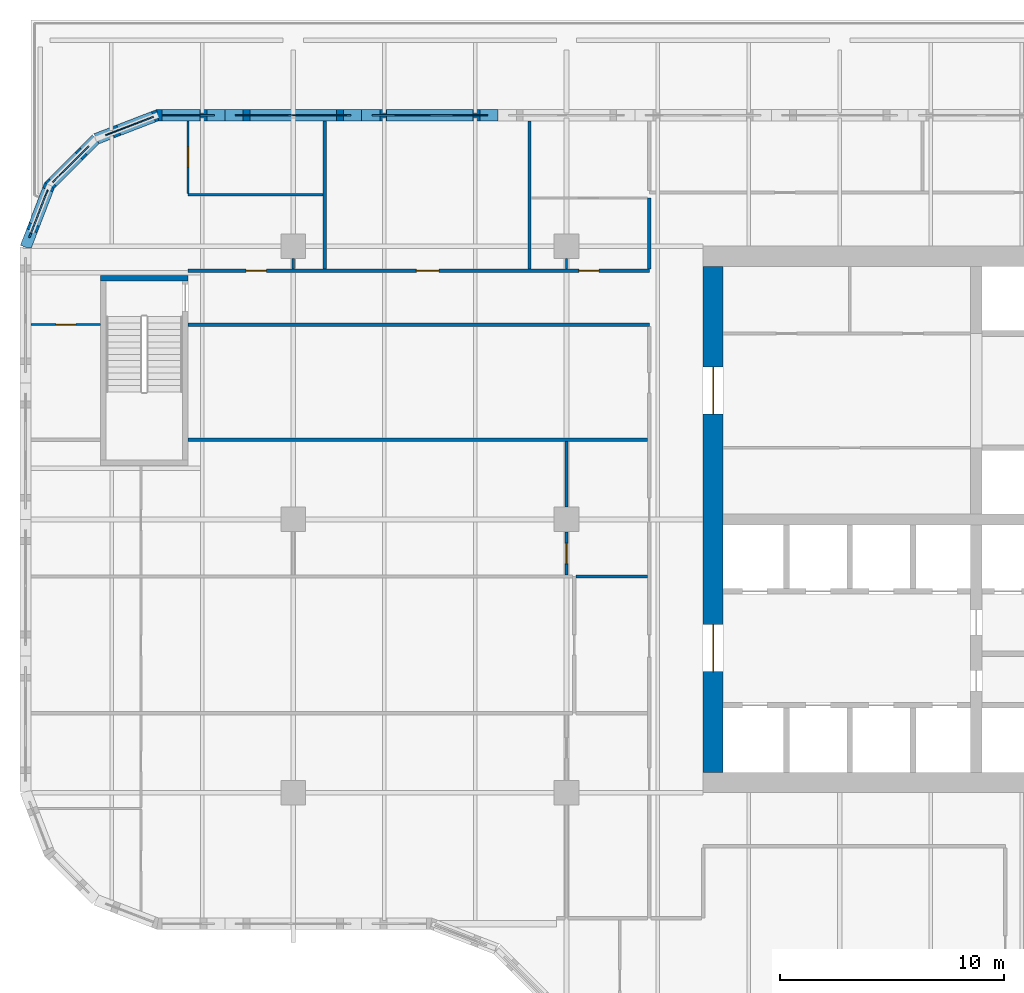
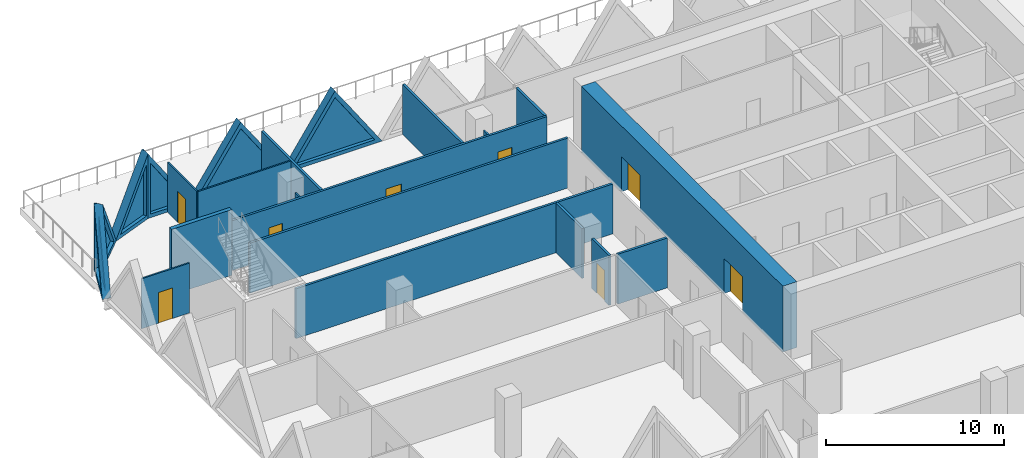
# One storey, part 10 of 21: 22 walls, 8 doors, 6 plates, 14 openings.
"""IFC4 building model written with IfcOpenShell, lengths in metres."""

from ifc_helpers import new_model, si_unit, direction, frame, frame_2d, origin, place, context, subcontext, project, spatial, polyline, rectangle, outline, extrude, faceted_brep, source, transform, mapped, material, layer, layer_set, type_object, element, fill, save


model = new_model("IFC4")

# Units and contexts
model_context = context("Model", 3, precision=1e-05, world=origin(), true_north=direction((0.0, 1.0)))
body_context = subcontext(model_context, "Body", "Model", "MODEL_VIEW")
ifc_project = project(units=[si_unit("LENGTHUNIT", "METRE"), si_unit("AREAUNIT", "SQUARE_METRE"), si_unit("VOLUMEUNIT", "CUBIC_METRE"), si_unit("PLANEANGLEUNIT", "RADIAN"), si_unit("MASSUNIT", "GRAM", prefix="KILO")], contexts=[model_context])

# Site, building, storey
site_placement = place(None, origin())
site = spatial("IfcSite", under=ifc_project, at=site_placement, CompositionType="ELEMENT")
building_placement = place(site_placement, origin())
building = spatial("IfcBuilding", under=site, at=building_placement, Name="Tessera Gate Towers", CompositionType="ELEMENT")
storey_placement = place(building_placement, frame((0.0, 0.0, 16.800048828125)))
storey = spatial("IfcBuildingStorey", under=building, at=storey_placement, Name="L03", CompositionType="ELEMENT", Elevation=16.800048828125)

# Wall
ifc_material_1 = material(Name="Concrete C40/50", Category="concrete")
ifc_layer_1 = layer(ifc_material_1, 0.25)
ifc_layer_set_1 = layer_set([ifc_layer_1], Name="CORE ENCLOSURE WALL 250")
wall_type_1 = type_object("IfcWallType", Name="CORE ENCLOSURE WALL 250", PredefinedType="SOLIDWALL", material=ifc_layer_set_1)
wall_1_placement = place(storey_placement, frame((3.60009765625, 47.375, 0.0), z_axis=(0.0, 0.0, 1.0), x_axis=(1.0, 0.0, 0.0)))
element("IfcWall", 1, at=wall_1_placement, inside=storey, type_object=wall_type_1, Name="L03 ST3 enclosure wall", PredefinedType="SOLIDWALL", context=body_context, shape_type="SweptSolid", body=[
    extrude(rectangle(XDim=3.89990234375, YDim=0.25, at=frame_2d((1.949951171875, 0.0))), origin(), (0.0, 0.0, 1.0), 4.5),
])

# Wall, openings, doors
ifc_material_2 = material(Name="Concrete C70/85", Category="concrete")
ifc_layer_2 = layer(ifc_material_2, 0.89990234375)
ifc_layer_set_2 = layer_set([ifc_layer_2], Name="CORE SHEAR WALL 900 C70/85")
wall_type_2 = type_object("IfcWallType", Name="CORE SHEAR WALL 900 C70/85", PredefinedType="SHEAR", material=ifc_layer_set_2)
wall_2_placement = place(storey_placement, frame((30.949951171875, 25.300048828125, 0.0), z_axis=(0.0, 0.0, 1.0), x_axis=(0.0, 1.0, 0.0)))
wall_2 = element("IfcWall", 2, at=wall_2_placement, inside=storey, type_object=wall_type_2, Name="Core wall W L03", PredefinedType="SHEAR", context=body_context, shape_type="SweptSolid", body=[
    extrude(rectangle(XDim=22.599853515625, YDim=0.89990234375, at=frame_2d((11.2998046875, 0.0))), origin(), (0.0, 0.0, 1.0), 4.5),
])
shared_shape_1 = source(origin(), body_context, "Body", "SweptSolid", [
    extrude(rectangle(XDim=2.10009765625, YDim=2.39990234375, at=frame_2d((1.050048828125, 1.199951171875))), frame((0.0, 0.4599609375, 0.0), z_axis=(0.0, -1.0, 0.0), x_axis=(1.0, 0.0, 0.0)), (0.0, 0.0, 1.0), 0.919921875),
])
opening_1_placement = place(wall_2_placement, frame((4.5, 0.0, 0.0)))
opening_1 = element("IfcOpeningElement", 3, at=opening_1_placement, cuts=wall_2, Name="Opening DD-T1-04-02", PredefinedType="OPENING", context=body_context, shape_type="MappedRepresentation", body=[
    mapped(shared_shape_1, transform((0.0, 0.0, 0.0), scale=1.0)),
])
opening_2_placement = place(wall_2_placement, frame((16.0, 0.0, 0.0)))
opening_2 = element("IfcOpeningElement", 4, at=opening_2_placement, cuts=wall_2, Name="Opening DD-T1-04-03", PredefinedType="OPENING", context=body_context, shape_type="MappedRepresentation", body=[
    mapped(shared_shape_1, transform((0.0, 0.0, 0.0), scale=1.0)),
])
ifc_material_3 = material(Name="Hollow steel fire door", Category="steel")
door_type_1 = type_object("IfcDoorType", Name="CORE DOOR DD 2100x2400", OperationType="NOTDEFINED", PredefinedType="DOOR", material=ifc_material_3)
shared_shape_2 = source(origin(), body_context, "Body", "SweptSolid", [
    extrude(rectangle(XDim=2.10009765625, YDim=2.39990234375, at=frame_2d((1.050048828125, 1.199951171875))), frame((0.0, 0.02490234375, 0.0), z_axis=(0.0, -1.0, 0.0), x_axis=(1.0, 0.0, 0.0)), (0.0, 0.0, 1.0), 0.050048828125),
])
door_1_placement = place(opening_1_placement, origin())
door_1 = element("IfcDoor", 5, at=door_1_placement, inside=storey, type_object=door_type_1, Name="Core entrance door", OperationType="DOUBLE_DOOR_SINGLE_SWING", OverallHeight=2.39990234375, OverallWidth=2.10009765625, PredefinedType="DOOR", context=body_context, shape_type="MappedRepresentation", body=[
    mapped(shared_shape_2, transform((0.0, 0.0, 0.0), scale=1.0)),
])
fill(opening_1, door_1)
door_2_placement = place(opening_2_placement, origin())
door_2 = element("IfcDoor", 6, at=door_2_placement, inside=storey, type_object=door_type_1, Name="Core entrance door", OperationType="DOUBLE_DOOR_SINGLE_SWING", OverallHeight=2.39990234375, OverallWidth=2.10009765625, PredefinedType="DOOR", context=body_context, shape_type="MappedRepresentation", body=[
    mapped(shared_shape_2, transform((0.0, 0.0, 0.0), scale=1.0)),
])
fill(opening_2, door_2)

# Wall
ifc_material_4 = material(Name="Gypsum board on steel studs, mineral wool", Category="steel")
ifc_layer_3 = layer(ifc_material_4, 0.14990234375)
ifc_layer_set_3 = layer_set([ifc_layer_3], Name="CORRIDOR WALL 150")
wall_type_3 = type_object("IfcWallType", Name="CORRIDOR WALL 150", PredefinedType="PARTITIONING", material=ifc_layer_set_3)
wall_3_placement = place(storey_placement, frame((7.5, 45.300048828125, 0.0), z_axis=(0.0, 0.0, 1.0), x_axis=(1.0, 0.0, 0.0)))
element("IfcWall", 7, at=wall_3_placement, inside=storey, type_object=wall_type_3, Name="T1-L03-PW-042", PredefinedType="PARTITIONING", context=body_context, shape_type="SweptSolid", body=[
    extrude(rectangle(XDim=20.60009765625, YDim=0.14990234375, at=frame_2d((10.300048828125, 0.0))), origin(), (0.0, 0.0, 1.0), 3.4150390625),
])

# Wall, openings, doors
wall_4_placement = place(storey_placement, frame((7.5, 47.699951171875, 0.0), z_axis=(0.0, 0.0, 1.0), x_axis=(1.0, 0.0, 0.0)))
wall_4 = element("IfcWall", 8, at=wall_4_placement, inside=storey, type_object=wall_type_3, Name="T1-L03-PW-043", PredefinedType="PARTITIONING", context=body_context, shape_type="SweptSolid", body=[
    extrude(rectangle(XDim=20.60009765625, YDim=0.14990234375, at=frame_2d((10.300048828125, 0.0))), origin(), (0.0, 0.0, 1.0), 3.4150390625),
])
shared_shape_3 = source(origin(), body_context, "Body", "SweptSolid", [
    extrude(rectangle(XDim=0.89990234375, YDim=2.10009765625, at=frame_2d((0.449951171875, 1.050048828125))), frame((0.0, 0.0849609375, 0.0), z_axis=(0.0, -1.0, 0.0), x_axis=(1.0, 0.0, 0.0)), (0.0, 0.0, 1.0), 0.169921875),
])
opening_3_placement = place(wall_4_placement, frame((17.450927734375, 0.0, 0.0)))
opening_3 = element("IfcOpeningElement", 9, at=opening_3_placement, cuts=wall_4, Name="Opening D890FD60-A00-02", PredefinedType="OPENING", context=body_context, shape_type="MappedRepresentation", body=[
    mapped(shared_shape_3, transform((0.0, 0.0, 0.0), scale=1.0)),
])
opening_4_placement = place(wall_4_placement, frame((2.60009765625, 0.0, 0.0)))
opening_4 = element("IfcOpeningElement", 10, at=opening_4_placement, cuts=wall_4, Name="Opening D890FD60-A00-03", PredefinedType="OPENING", context=body_context, shape_type="MappedRepresentation", body=[
    mapped(shared_shape_3, transform((0.0, 0.0, 0.0), scale=1.0)),
])
shared_shape_4 = source(origin(), body_context, "Body", "SweptSolid", [
    extrude(rectangle(XDim=1.0, YDim=2.10009765625, at=frame_2d((0.5, 1.050048828125))), frame((0.0, 0.0849609375, 0.0), z_axis=(0.0, -1.0, 0.0), x_axis=(1.0, 0.0, 0.0)), (0.0, 0.0, 1.0), 0.169921875),
])
opening_5_placement = place(wall_4_placement, frame((10.199951171875, 0.0, 0.0)))
opening_5 = element("IfcOpeningElement", 11, at=opening_5_placement, cuts=wall_4, Name="Opening D2100FD60-A00-04", PredefinedType="OPENING", context=body_context, shape_type="MappedRepresentation", body=[
    mapped(shared_shape_4, transform((0.0, 0.0, 0.0), scale=1.0)),
])
ifc_material_5 = material(Name="Timber door leaf in steel frame", Category="steel")
door_type_2 = type_object("IfcDoorType", Name="CORRIDOR DOOR 900 FD60", OperationType="NOTDEFINED", PredefinedType="DOOR", material=ifc_material_5)
shared_shape_5 = source(origin(), body_context, "Body", "SweptSolid", [
    extrude(rectangle(XDim=0.89990234375, YDim=2.10009765625, at=frame_2d((0.449951171875, 1.050048828125))), frame((0.0, 0.02490234375, 0.0), z_axis=(0.0, -1.0, 0.0), x_axis=(1.0, 0.0, 0.0)), (0.0, 0.0, 1.0), 0.050048828125),
])
door_3_placement = place(opening_3_placement, origin())
door_3 = element("IfcDoor", 12, at=door_3_placement, inside=storey, type_object=door_type_2, Name="T1-L03-PD-009", OperationType="SINGLE_SWING_RIGHT", OverallHeight=2.10009765625, OverallWidth=0.89990234375, PredefinedType="DOOR", context=body_context, shape_type="MappedRepresentation", body=[
    mapped(shared_shape_5, transform((0.0, 0.0, 0.0), scale=1.0)),
])
fill(opening_3, door_3)
door_4_placement = place(opening_4_placement, origin())
door_4 = element("IfcDoor", 13, at=door_4_placement, inside=storey, type_object=door_type_2, Name="T1-L03-PD-015", OperationType="SINGLE_SWING_LEFT", OverallHeight=2.10009765625, OverallWidth=0.89990234375, PredefinedType="DOOR", context=body_context, shape_type="MappedRepresentation", body=[
    mapped(shared_shape_5, transform((0.0, 0.0, 0.0), scale=1.0)),
])
fill(opening_4, door_4)
ifc_material_6 = material(Name="Timber door leaf in steel frame", Category="steel")
door_type_3 = type_object("IfcDoorType", Name="TENANCY ENTRANCE DOOR 1000 FD60", OperationType="NOTDEFINED", PredefinedType="DOOR", material=ifc_material_6)
shared_shape_6 = source(origin(), body_context, "Body", "SweptSolid", [
    extrude(rectangle(XDim=1.0, YDim=2.10009765625, at=frame_2d((0.5, 1.050048828125))), frame((0.0, 0.02490234375, 0.0), z_axis=(0.0, -1.0, 0.0), x_axis=(1.0, 0.0, 0.0)), (0.0, 0.0, 1.0), 0.050048828125),
])
door_5_placement = place(opening_5_placement, origin())
door_5 = element("IfcDoor", 14, at=door_5_placement, inside=storey, type_object=door_type_3, Name="T1-L03-PD-026", OperationType="SINGLE_SWING_LEFT", OverallHeight=2.10009765625, OverallWidth=1.0, PredefinedType="DOOR", context=body_context, shape_type="MappedRepresentation", body=[
    mapped(shared_shape_6, transform((0.0, 0.0, 0.0), scale=1.0)),
])
fill(opening_5, door_5)

# Wall
wall_5_placement = place(storey_placement, frame((28.10009765625, 47.77587890625, 0.0), z_axis=(0.0, 0.0, 1.0), x_axis=(0.0, 1.0, 0.0)))
element("IfcWall", 15, at=wall_5_placement, inside=storey, type_object=wall_type_3, Name="T1-L03-PW-046", PredefinedType="PARTITIONING", context=body_context, shape_type="SweptSolid", body=[
    extrude(rectangle(XDim=3.174072265625, YDim=0.14990234375, at=frame_2d((1.5869140625, 0.0))), origin(), (0.0, 0.0, 1.0), 3.4150390625),
])

# Wall, opening, door
ifc_material_7 = material(Name="Glass", Category="glass")
ifc_layer_4 = layer(ifc_material_7, 0.10009765625)
ifc_layer_set_4 = layer_set([ifc_layer_4], Name="GLAZED PARTITION 100")
wall_type_4 = type_object("IfcWallType", Name="GLAZED PARTITION 100", PredefinedType="PARTITIONING", material=ifc_layer_set_4)
wall_6_placement = place(storey_placement, frame((3.60009765625, 45.300048828125, 0.0), z_axis=(0.0, 0.0, 1.0), x_axis=(-1.0, 0.0, 0.0)))
wall_6 = element("IfcWall", 16, at=wall_6_placement, inside=storey, type_object=wall_type_4, Name="T1-L03-PW-041", PredefinedType="PARTITIONING", context=body_context, shape_type="SweptSolid", body=[
    extrude(rectangle(XDim=3.10009765625, YDim=0.10009765625, at=frame_2d((1.550048828125, 0.0))), origin(), (0.0, 0.0, 1.0), 3.4150390625),
])
shared_shape_7 = source(origin(), body_context, "Body", "SweptSolid", [
    extrude(rectangle(XDim=0.89990234375, YDim=2.10009765625, at=frame_2d((0.449951171875, 1.050048828125))), frame((0.0, 0.06005859375, 0.0), z_axis=(0.0, -1.0, 0.0), x_axis=(1.0, 0.0, 0.0)), (0.0, 0.0, 1.0), 0.1201171875),
])
opening_6_placement = place(wall_6_placement, frame((1.10009765625, 0.0, 0.0)))
opening_6 = element("IfcOpeningElement", 17, at=opening_6_placement, cuts=wall_6, Name="Opening D690-A00-01", PredefinedType="OPENING", context=body_context, shape_type="MappedRepresentation", body=[
    mapped(shared_shape_7, transform((0.0, 0.0, 0.0), scale=1.0)),
])
ifc_material_8 = material(Name="Glass in aluminium frame", Category="aluminium")
door_type_4 = type_object("IfcDoorType", Name="GLAZED DOOR 900 NOT RATED", OperationType="NOTDEFINED", PredefinedType="DOOR", material=ifc_material_8)
door_6_placement = place(opening_6_placement, origin())
door_6 = element("IfcDoor", 18, at=door_6_placement, inside=storey, type_object=door_type_4, Name="T1-L03-PD-001", OperationType="SINGLE_SWING_RIGHT", OverallHeight=2.10009765625, OverallWidth=0.89990234375, PredefinedType="DOOR", context=body_context, shape_type="MappedRepresentation", body=[
    mapped(shared_shape_5, transform((0.0, 0.0, 0.0), scale=1.0)),
])
fill(opening_6, door_6)

# Walls
ifc_material_9 = material(Name="Gypsum board on steel studs", Category="steel")
ifc_layer_5 = layer(ifc_material_9, 0.10009765625)
ifc_layer_set_5 = layer_set([ifc_layer_5], Name="PARTITION 100")
wall_type_5 = type_object("IfcWallType", Name="PARTITION 100", PredefinedType="PARTITIONING", material=ifc_layer_set_5)
for number, where, z_axis, x_axis, name in (
    (19, (12.199951171875, 48.25, 0.0), (0.0, 0.0, 1.0), (0.0, -1.0, 0.0), "T1-L03-PW-047"),
    (20, (24.39990234375, 48.25, 0.0), (0.0, 0.0, 1.0), (0.0, -1.0, 0.0), "T1-L03-PW-048"),
):
    element("IfcWall", number, at=place(storey_placement, frame(where, z_axis=z_axis, x_axis=x_axis)), inside=storey, type_object=wall_type_5, Name=name, PredefinedType="PARTITIONING", context=body_context, shape_type="SweptSolid", body=[
        extrude(rectangle(XDim=0.47509765625, YDim=0.10009765625, at=frame_2d((0.237548828125, 0.0))), origin(), (0.0, 0.0, 1.0), 3.4150390625),
    ])
wall_7_placement = place(storey_placement, frame((7.5, 51.10009765625, 0.0), z_axis=(0.0, 0.0, 1.0), x_axis=(1.0, 0.0, 0.0)))
element("IfcWall", 21, at=wall_7_placement, inside=storey, type_object=wall_type_5, Name="T1-L03-PW-050", PredefinedType="PARTITIONING", context=body_context, shape_type="SweptSolid", body=[
    extrude(rectangle(XDim=6.02392578125, YDim=0.10009765625, at=frame_2d((3.011962890625, 0.0))), origin(), (0.0, 0.0, 1.0), 3.4150390625),
])

# Wall, opening, door
wall_8_placement = place(storey_placement, frame((7.5, 54.39990234375, 0.0), z_axis=(0.0, 0.0, 1.0), x_axis=(0.0, -1.0, 0.0)))
wall_8 = element("IfcWall", 22, at=wall_8_placement, inside=storey, type_object=wall_type_5, Name="T1-L03-PW-051", PredefinedType="PARTITIONING", context=body_context, shape_type="SweptSolid", body=[
    extrude(rectangle(XDim=3.2490234375, YDim=0.10009765625, at=frame_2d((1.62451171875, 0.0))), origin(), (0.0, 0.0, 1.0), 3.4150390625),
])
opening_7_placement = place(wall_8_placement, frame((1.14892578125, 0.0, 0.0)))
opening_7 = element("IfcOpeningElement", 23, at=opening_7_placement, cuts=wall_8, Name="Opening D190-A00-13", PredefinedType="OPENING", context=body_context, shape_type="MappedRepresentation", body=[
    mapped(shared_shape_7, transform((0.0, 0.0, 0.0), scale=1.0)),
])
ifc_material_10 = material(Name="Timber door leaf in steel frame", Category="steel")
door_type_5 = type_object("IfcDoorType", Name="INTERNAL DOOR 900 NOT RATED", OperationType="NOTDEFINED", PredefinedType="DOOR", material=ifc_material_10)
door_7_placement = place(opening_7_placement, origin())
door_7 = element("IfcDoor", 24, at=door_7_placement, inside=storey, type_object=door_type_5, Name="T1-L03-PD-027", OperationType="SINGLE_SWING_RIGHT", OverallHeight=2.10009765625, OverallWidth=0.89990234375, PredefinedType="DOOR", context=body_context, shape_type="MappedRepresentation", body=[
    mapped(shared_shape_5, transform((0.0, 0.0, 0.0), scale=1.0)),
])
fill(opening_7, door_7)

# Wall
ifc_material_11 = material(Name="Gypsum board on steel studs, mineral wool", Category="steel")
ifc_layer_6 = layer(ifc_material_11, 0.14990234375)
ifc_layer_set_6 = layer_set([ifc_layer_6], Name="TENANCY WALL 150")
wall_type_6 = type_object("IfcWallType", Name="TENANCY WALL 150", PredefinedType="PARTITIONING", material=ifc_layer_set_6)
wall_9_placement = place(storey_placement, frame((24.825927734375, 34.050048828125, 0.0), z_axis=(0.0, 0.0, 1.0), x_axis=(1.0, 0.0, 0.0)))
element("IfcWall", 25, at=wall_9_placement, inside=storey, type_object=wall_type_6, Name="T1-L03-PW-034", PredefinedType="PARTITIONING", context=body_context, shape_type="SweptSolid", body=[
    extrude(rectangle(XDim=3.197998046875, YDim=0.14990234375, at=frame_2d((1.59912109375, 0.0))), origin(), (0.0, 0.0, 1.0), 3.4150390625),
])

# Wall, opening, door
wall_10_placement = place(storey_placement, frame((24.39990234375, 34.1259765625, 0.0), z_axis=(0.0, 0.0, 1.0), x_axis=(0.0, 1.0, 0.0)))
wall_10 = element("IfcWall", 26, at=wall_10_placement, inside=storey, type_object=wall_type_6, Name="T1-L03-PW-036", PredefinedType="PARTITIONING", context=body_context, shape_type="SweptSolid", body=[
    extrude(rectangle(XDim=1.923095703125, YDim=0.14990234375, at=frame_2d((0.96142578125, 0.0))), origin(), (0.0, 0.0, 1.0), 3.4150390625),
])
opening_8_placement = place(wall_10_placement, frame((0.5, 0.0, 0.0)))
opening_8 = element("IfcOpeningElement", 27, at=opening_8_placement, cuts=wall_10, Name="Opening D190-A00-04", PredefinedType="OPENING", context=body_context, shape_type="MappedRepresentation", body=[
    mapped(shared_shape_3, transform((0.0, 0.0, 0.0), scale=1.0)),
])
door_8_placement = place(opening_8_placement, origin())
door_8 = element("IfcDoor", 28, at=door_8_placement, inside=storey, type_object=door_type_5, Name="T1-L03-PD-005", OperationType="SINGLE_SWING_LEFT", OverallHeight=2.10009765625, OverallWidth=0.89990234375, PredefinedType="DOOR", context=body_context, shape_type="MappedRepresentation", body=[
    mapped(shared_shape_5, transform((0.0, 0.0, 0.0), scale=1.0)),
])
fill(opening_8, door_8)

# Walls
wall_11_placement = place(storey_placement, frame((24.39990234375, 37.15087890625, 0.0), z_axis=(0.0, 0.0, 1.0), x_axis=(0.0, 1.0, 0.0)))
element("IfcWall", 29, at=wall_11_placement, inside=storey, type_object=wall_type_6, Name="T1-L03-PW-038", PredefinedType="PARTITIONING", context=body_context, shape_type="SweptSolid", body=[
    extrude(rectangle(XDim=2.923095703125, YDim=0.14990234375, at=frame_2d((1.46142578125, 0.0))), origin(), (0.0, 0.0, 1.0), 3.4150390625),
])
wall_12_placement = place(storey_placement, frame((7.5, 40.14990234375, 0.0), z_axis=(0.0, 0.0, 1.0), x_axis=(1.0, 0.0, 0.0)))
element("IfcWall", 30, at=wall_12_placement, inside=storey, type_object=wall_type_6, Name="T1-L03-PW-040", PredefinedType="PARTITIONING", context=body_context, shape_type="SweptSolid", body=[
    extrude(rectangle(XDim=20.52392578125, YDim=0.14990234375, at=frame_2d((10.261962890625, 0.0))), origin(), (0.0, 0.0, 1.0), 3.4150390625),
])
for number, where, z_axis, x_axis, name in (
    (31, (13.60009765625, 47.77587890625, 0.0), (0.0, 0.0, 1.0), (0.0, 1.0, 0.0), "T1-L03-PW-044"),
    (32, (22.75, 47.77587890625, 0.0), (0.0, 0.0, 1.0), (0.0, 1.0, 0.0), "T1-L03-PW-045"),
):
    element("IfcWall", number, at=place(storey_placement, frame(where, z_axis=z_axis, x_axis=x_axis)), inside=storey, type_object=wall_type_6, Name=name, PredefinedType="PARTITIONING", context=body_context, shape_type="SweptSolid", body=[
        extrude(rectangle(XDim=6.6240234375, YDim=0.14990234375, at=frame_2d((3.31201171875, 0.0))), origin(), (0.0, 0.0, 1.0), 3.4150390625),
    ])

# Wall, opening, plate
ifc_material_12 = material(Name="Precast concrete C60/75 white", Category="concrete")
ifc_layer_7 = layer(ifc_material_12, 0.5)
ifc_layer_set_7 = layer_set([ifc_layer_7], Name="TS2 half tessera")
wall_type_7 = type_object("IfcWallType", Name="TS2 half tessera", PredefinedType="SOLIDWALL", material=ifc_layer_set_7)
shared_shape_8 = source(origin(), body_context, "Body", "SweptSolid", [
    extrude(outline(polyline([(6.10009765625, 0.0), (3.050048828125, 4.5), (0.0, 0.0), (6.10009765625, 0.0)])), frame((0.0, 0.25, 0.0), z_axis=(0.0, -1.0, 0.0), x_axis=(1.0, 0.0, 0.0)), (0.0, 0.0, 1.0), 0.5),
])
wall_13_placement = place(storey_placement, frame((21.35009765625, 54.64990234375, 0.0), z_axis=(0.0, 0.0, 1.0), x_axis=(-1.0, 0.0, 0.0)))
wall_13 = element("IfcWall", 33, at=wall_13_placement, inside=storey, type_object=wall_type_7, Name="Precast half tessera T1 TS2-0015", PredefinedType="SOLIDWALL", context=body_context, shape_type="MappedRepresentation", body=[
    mapped(shared_shape_8, transform((0.0, 0.0, 0.0), scale=1.0)),
])
shared_shape_9 = source(origin(), body_context, "Body", "SweptSolid", [
    extrude(outline(polyline([(5.628662109375, 0.25), (3.050048828125, 4.054443359375), (0.471435546875, 0.25), (5.628662109375, 0.25)])), frame((0.0, 0.260009765625, 0.0), z_axis=(0.0, -1.0, 0.0), x_axis=(1.0, 0.0, 0.0)), (0.0, 0.0, 1.0), 0.52001953125),
])
opening_9_placement = place(wall_13_placement, origin())
opening_9 = element("IfcOpeningElement", 34, at=opening_9_placement, cuts=wall_13, Name="Opening T1-PL1-0025", PredefinedType="OPENING", context=body_context, shape_type="MappedRepresentation", body=[
    mapped(shared_shape_9, transform((0.0, 0.0, 0.0), scale=1.0)),
])
ifc_material_13 = material(Name="Low-e laminated glass", Category="glass")
ifc_layer_8 = layer(ifc_material_13, 0.06005859375)
ifc_layer_set_8 = layer_set([ifc_layer_8], Name="PL1 triangular pane")
plate_type = type_object("IfcPlateType", Name="PL1 triangular pane", PredefinedType="SHEET", material=ifc_layer_set_8)
shared_shape_10 = source(origin(), body_context, "Body", "SweptSolid", [
    extrude(outline(polyline([(5.628662109375, 0.25), (3.050048828125, 4.054443359375), (0.471435546875, 0.25), (5.628662109375, 0.25)])), frame((0.0, 0.030029296875, 0.0), z_axis=(0.0, -1.0, 0.0), x_axis=(1.0, 0.0, 0.0)), (0.0, 0.0, 1.0), 0.06005859375),
])
plate_1_placement = place(opening_9_placement, origin())
plate_1 = element("IfcPlate", 35, at=plate_1_placement, inside=storey, type_object=plate_type, Name="Glass pane T1 PL1-0025", PredefinedType="SHEET", context=body_context, shape_type="MappedRepresentation", body=[
    mapped(shared_shape_10, transform((0.0, 0.0, 0.0), scale=1.0)),
])
fill(opening_9, plate_1)

wall_14_placement = place(storey_placement, frame((15.25, 54.64990234375, 0.0), z_axis=(0.0, 0.0, 1.0), x_axis=(-1.0, 0.0, 0.0)))
wall_14 = element("IfcWall", 36, at=wall_14_placement, inside=storey, type_object=wall_type_7, Name="Precast half tessera T1 TS2-0016", PredefinedType="SOLIDWALL", context=body_context, shape_type="MappedRepresentation", body=[
    mapped(shared_shape_8, transform((0.0, 0.0, 0.0), scale=1.0)),
])
opening_10_placement = place(wall_14_placement, origin())
opening_10 = element("IfcOpeningElement", 37, at=opening_10_placement, cuts=wall_14, Name="Opening T1-PL1-0026", PredefinedType="OPENING", context=body_context, shape_type="MappedRepresentation", body=[
    mapped(shared_shape_9, transform((0.0, 0.0, 0.0), scale=1.0)),
])
plate_2_placement = place(opening_10_placement, origin())
plate_2 = element("IfcPlate", 38, at=plate_2_placement, inside=storey, type_object=plate_type, Name="Glass pane T1 PL1-0026", PredefinedType="SHEET", context=body_context, shape_type="MappedRepresentation", body=[
    mapped(shared_shape_10, transform((0.0, 0.0, 0.0), scale=1.0)),
])
fill(opening_10, plate_2)

ifc_material_14 = material(Name="Precast concrete C60/75 white", Category="concrete")
ifc_layer_9 = layer(ifc_material_14, 0.5)
ifc_layer_set_9 = layer_set([ifc_layer_9], Name="TS3 corner tessera")
wall_type_8 = type_object("IfcWallType", Name="TS3 corner tessera", PredefinedType="SOLIDWALL", material=ifc_layer_set_9)
shared_shape_11 = source(origin(), body_context, "Body", "Brep", [
    faceted_brep([(3.050048828125, -0.25, 4.428955078125), (3.00341796875, -0.25, 4.5), (0.0, -0.25, 0.0), (3.050048828125, -0.25, 0.0), (0.0, 0.25, 0.0), (2.956787109375, 0.25, 4.430419921875), (2.956787109375, 0.25, 0.0), (3.00341796875, 0.000244140625, 4.5)], [[[0, 1, 2, 3]], [[4, 5, 6]], [[7, 1, 0]], [[5, 4, 2, 1, 7]], [[4, 6, 3, 2]], [[3, 6, 5, 7, 0]]]),
])
wall_15_placement = place(storey_placement, frame((9.14990234375, 54.64990234375, 0.0), z_axis=(0.0, 0.0, 1.0), x_axis=(-1.0, 0.0, 0.0)))
wall_15 = element("IfcWall", 39, at=wall_15_placement, inside=storey, type_object=wall_type_8, Name="Precast corner tessera T1 TS3-0011", PredefinedType="SOLIDWALL", context=body_context, shape_type="MappedRepresentation", body=[
    mapped(shared_shape_11, transform((0.0, 0.0, 0.0), scale=1.0)),
])
shared_shape_12 = source(origin(), body_context, "Body", "SweptSolid", [
    extrude(outline(polyline([(2.803466796875, 3.75), (0.467529296875, 0.25), (2.803466796875, 0.25), (2.803466796875, 3.75)])), frame((0.0, 0.260009765625, 0.0), z_axis=(0.0, -1.0, 0.0), x_axis=(1.0, 0.0, 0.0)), (0.0, 0.0, 1.0), 0.52001953125),
])
opening_11_placement = place(wall_15_placement, origin())
opening_11 = element("IfcOpeningElement", 40, at=opening_11_placement, cuts=wall_15, Name="Opening T1-PL1-0027", PredefinedType="OPENING", context=body_context, shape_type="MappedRepresentation", body=[
    mapped(shared_shape_12, transform((0.0, 0.0, 0.0), scale=1.0)),
])
shared_shape_13 = source(origin(), body_context, "Body", "SweptSolid", [
    extrude(outline(polyline([(2.803466796875, 3.75), (0.467529296875, 0.25), (2.803466796875, 0.25), (2.803466796875, 3.75)])), frame((0.0, 0.030029296875, 0.0), z_axis=(0.0, -1.0, 0.0), x_axis=(1.0, 0.0, 0.0)), (0.0, 0.0, 1.0), 0.06005859375),
])
plate_3_placement = place(opening_11_placement, origin())
plate_3 = element("IfcPlate", 41, at=plate_3_placement, inside=storey, type_object=plate_type, Name="Glass pane T1 PL1-0027", PredefinedType="SHEET", context=body_context, shape_type="MappedRepresentation", body=[
    mapped(shared_shape_13, transform((0.0, 0.0, 0.0), scale=1.0)),
])
fill(opening_11, plate_3)

shared_shape_14 = source(origin(), body_context, "Body", "Brep", [
    faceted_brep([(2.9970703125, -0.25, 0.0), (0.046630859375, -0.25, 4.5), (0.0, -0.25, 4.43017578125), (0.0, -0.25, 0.0), (0.09326171875, 0.25, 4.428955078125), (2.9443359375, 0.25, 0.08056640625), (2.9443359375, 0.25, 0.0), (0.09326171875, 0.25, 0.0), (0.046630859375, 0.0, 4.5), (2.9970703125, 0.00048828125, 0.0)], [[[0, 1, 2, 3]], [[4, 5, 6, 7]], [[5, 4, 8, 1, 0, 9]], [[2, 1, 8]], [[7, 6, 9, 0, 3]], [[7, 3, 2, 8, 4]], [[9, 6, 5]]]),
])
wall_16_placement = place(storey_placement, frame((6.18994140625, 54.666748046875, 0.0), z_axis=(0.0, 0.0, 1.0), x_axis=(-0.932990326376, -0.359901446078, 0.0)))
wall_16 = element("IfcWall", 42, at=wall_16_placement, inside=storey, type_object=wall_type_8, Name="Precast corner tessera T1 TS3-0012", PredefinedType="SOLIDWALL", context=body_context, shape_type="MappedRepresentation", body=[
    mapped(shared_shape_14, transform((0.0, 0.0, 0.0), scale=1.0)),
])
shared_shape_15 = source(origin(), body_context, "Body", "SweptSolid", [
    extrude(outline(polyline([(2.5341796875, 0.25), (0.24658203125, 3.739013671875), (0.24658203125, 0.25), (2.5341796875, 0.25)])), frame((0.0, 0.260009765625, 0.0), z_axis=(0.0, -1.0, 0.0), x_axis=(1.0, 0.0, 0.0)), (0.0, 0.0, 1.0), 0.52001953125),
])
opening_12_placement = place(wall_16_placement, origin())
opening_12 = element("IfcOpeningElement", 43, at=opening_12_placement, cuts=wall_16, Name="Opening T1-PL1-0028", PredefinedType="OPENING", context=body_context, shape_type="MappedRepresentation", body=[
    mapped(shared_shape_15, transform((0.0, 0.0, 0.0), scale=1.0)),
])
shared_shape_16 = source(origin(), body_context, "Body", "SweptSolid", [
    extrude(outline(polyline([(2.5341796875, 0.25), (0.24658203125, 3.739013671875), (0.24658203125, 0.25), (2.5341796875, 0.25)])), frame((0.0, 0.030029296875, 0.0), z_axis=(0.0, -1.0, 0.0), x_axis=(1.0, 0.0, 0.0)), (0.0, 0.0, 1.0), 0.06005859375),
])
plate_4_placement = place(opening_12_placement, origin())
plate_4 = element("IfcPlate", 44, at=plate_4_placement, inside=storey, type_object=plate_type, Name="Glass pane T1 PL1-0028", PredefinedType="SHEET", context=body_context, shape_type="MappedRepresentation", body=[
    mapped(shared_shape_16, transform((0.0, 0.0, 0.0), scale=1.0)),
])
fill(opening_12, plate_4)

shared_shape_17 = source(origin(), body_context, "Body", "Brep", [
    faceted_brep([(3.00341796875, -0.25, 0.0), (0.052978515625, -0.25, 4.5), (0.0, -0.25, 4.419189453125), (0.0, -0.25, 0.0), (0.10595703125, 0.25, 4.419189453125), (2.95703125, 0.25, 0.07080078125), (2.95703125, 0.25, 0.0), (0.10595703125, 0.25, 0.0), (0.052978515625, 0.0, 4.5), (3.00341796875, 0.00048828125, 0.0)], [[[0, 1, 2, 3]], [[4, 5, 6, 7]], [[5, 4, 8, 1, 0, 9]], [[2, 1, 8]], [[7, 6, 9, 0, 3]], [[7, 3, 2, 8, 4]], [[9, 6, 5]]]),
])
wall_17_placement = place(storey_placement, frame((1.3310546875, 51.5556640625, 0.0), z_axis=(0.0, 0.0, 1.0), x_axis=(-0.35992665181, -0.932980602862, 0.0)))
wall_17 = element("IfcWall", 45, at=wall_17_placement, inside=storey, type_object=wall_type_8, Name="Precast corner tessera T1 TS3-0014", PredefinedType="SOLIDWALL", context=body_context, shape_type="MappedRepresentation", body=[
    mapped(shared_shape_17, transform((0.0, 0.0, 0.0), scale=1.0)),
])
shared_shape_18 = source(origin(), body_context, "Body", "SweptSolid", [
    extrude(outline(polyline([(2.54052734375, 0.25), (0.2529296875, 3.739013671875), (0.2529296875, 0.25), (2.54052734375, 0.25)])), frame((0.0, 0.260009765625, 0.0), z_axis=(0.0, -1.0, 0.0), x_axis=(1.0, 0.0, 0.0)), (0.0, 0.0, 1.0), 0.52001953125),
])
opening_13_placement = place(wall_17_placement, origin())
opening_13 = element("IfcOpeningElement", 46, at=opening_13_placement, cuts=wall_17, Name="Opening T1-PL1-0030", PredefinedType="OPENING", context=body_context, shape_type="MappedRepresentation", body=[
    mapped(shared_shape_18, transform((0.0, 0.0, 0.0), scale=1.0)),
])
shared_shape_19 = source(origin(), body_context, "Body", "SweptSolid", [
    extrude(outline(polyline([(2.54052734375, 0.25), (0.2529296875, 3.739013671875), (0.2529296875, 0.25), (2.54052734375, 0.25)])), frame((0.0, 0.030029296875, 0.0), z_axis=(0.0, -1.0, 0.0), x_axis=(1.0, 0.0, 0.0)), (0.0, 0.0, 1.0), 0.06005859375),
])
plate_5_placement = place(opening_13_placement, origin())
plate_5 = element("IfcPlate", 47, at=plate_5_placement, inside=storey, type_object=plate_type, Name="Glass pane T1 PL1-0030", PredefinedType="SHEET", context=body_context, shape_type="MappedRepresentation", body=[
    mapped(shared_shape_19, transform((0.0, 0.0, 0.0), scale=1.0)),
])
fill(opening_13, plate_5)

shared_shape_20 = source(origin(), body_context, "Body", "Brep", [
    faceted_brep([(2.9970703125, -0.25, 4.419189453125), (2.944091796875, -0.25, 4.5), (0.0, -0.25, 0.0), (2.9970703125, -0.25, 0.0), (0.052978515625, 0.25, 0.080810546875), (2.89111328125, 0.25, 4.419189453125), (2.89111328125, 0.25, 0.0), (0.052978515625, 0.25, 0.0), (2.944091796875, 0.000244140625, 4.5), (0.0, 0.0, 0.0)], [[[0, 1, 2, 3]], [[4, 5, 6, 7]], [[8, 1, 0]], [[5, 4, 9, 2, 1, 8]], [[7, 6, 3, 2, 9]], [[7, 9, 4]], [[3, 6, 5, 8, 0]]]),
])
wall_18_placement = place(storey_placement, frame((3.393798828125, 53.588134765625, 0.0), z_axis=(0.0, 0.0, 1.0), x_axis=(-0.707106781187, -0.707106781187, 0.0)))
wall_18 = element("IfcWall", 48, at=wall_18_placement, inside=storey, type_object=wall_type_8, Name="Precast corner tessera T1 TS3-0013", PredefinedType="SOLIDWALL", context=body_context, shape_type="MappedRepresentation", body=[
    mapped(shared_shape_20, transform((0.0, 0.0, 0.0), scale=1.0)),
])
shared_shape_21 = source(origin(), body_context, "Body", "SweptSolid", [
    extrude(outline(polyline([(2.744140625, 3.737548828125), (0.46240234375, 0.25), (2.744140625, 0.25), (2.744140625, 3.737548828125)])), frame((0.0, 0.260009765625, 0.0), z_axis=(0.0, -1.0, 0.0), x_axis=(1.0, 0.0, 0.0)), (0.0, 0.0, 1.0), 0.52001953125),
])
opening_14_placement = place(wall_18_placement, origin())
opening_14 = element("IfcOpeningElement", 49, at=opening_14_placement, cuts=wall_18, Name="Opening T1-PL1-0029", PredefinedType="OPENING", context=body_context, shape_type="MappedRepresentation", body=[
    mapped(shared_shape_21, transform((0.0, 0.0, 0.0), scale=1.0)),
])
shared_shape_22 = source(origin(), body_context, "Body", "SweptSolid", [
    extrude(outline(polyline([(2.744140625, 3.737548828125), (0.46240234375, 0.25), (2.744140625, 0.25), (2.744140625, 3.737548828125)])), frame((0.0, 0.030029296875, 0.0), z_axis=(0.0, -1.0, 0.0), x_axis=(1.0, 0.0, 0.0)), (0.0, 0.0, 1.0), 0.06005859375),
])
plate_6_placement = place(opening_14_placement, origin())
plate_6 = element("IfcPlate", 50, at=plate_6_placement, inside=storey, type_object=plate_type, Name="Glass pane T1 PL1-0029", PredefinedType="SHEET", context=body_context, shape_type="MappedRepresentation", body=[
    mapped(shared_shape_22, transform((0.0, 0.0, 0.0), scale=1.0)),
])
fill(opening_14, plate_6)

save(model, "model.ifc")
